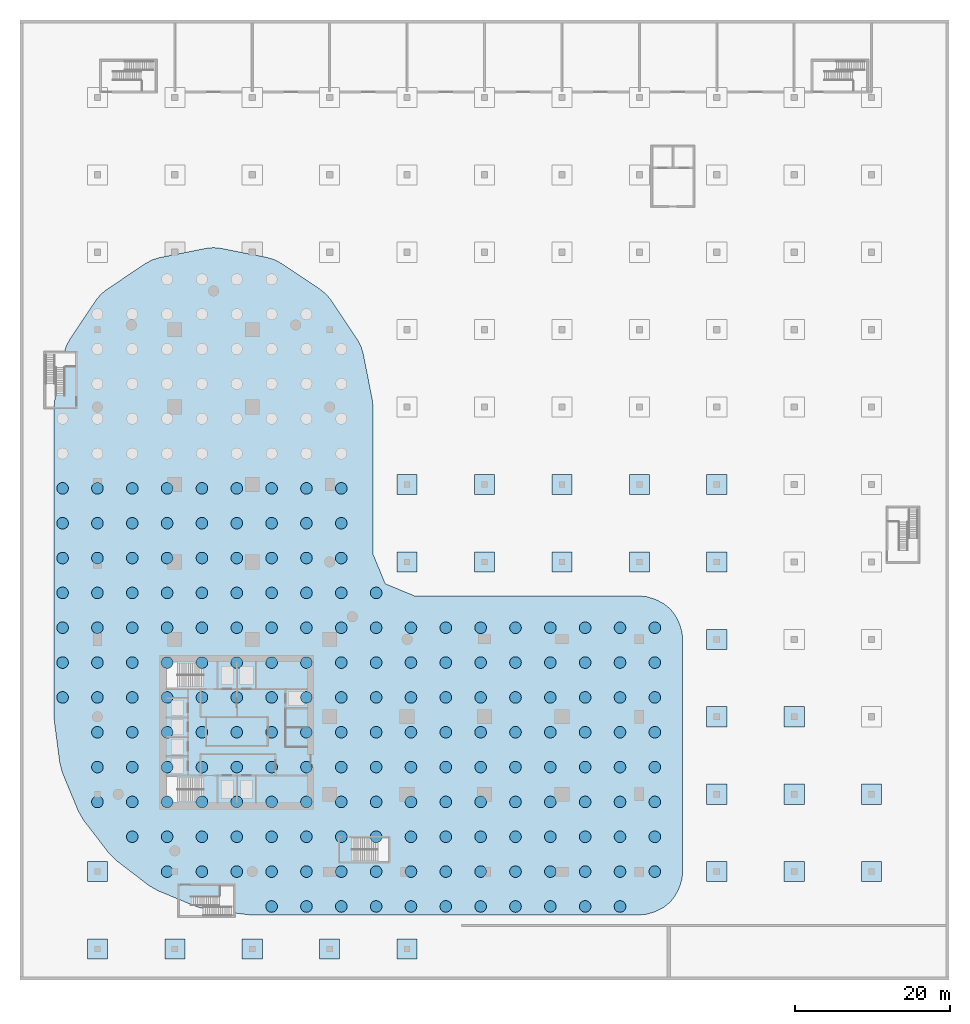
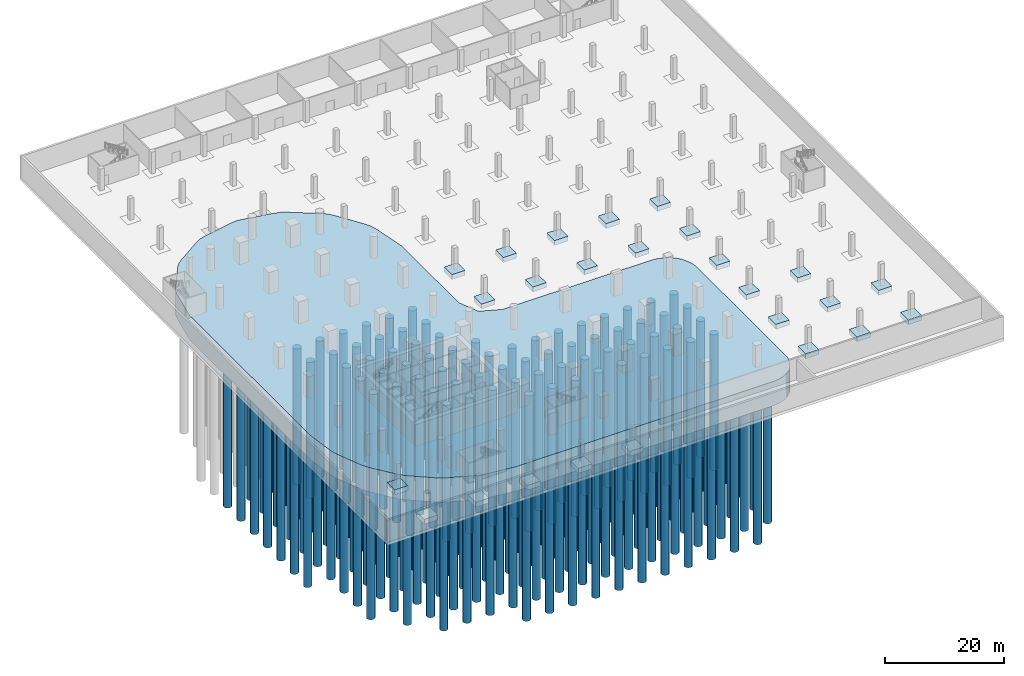
# One storey, part 1 of 19: 184 piles, 26 footings.
"""IFC4 building model written with IfcOpenShell, lengths in metres."""

from ifc_helpers import new_model, si_unit, direction, frame, origin, origin_2d, place, context, subcontext, project, spatial, polyline, circle, outline, extrude, material, layer, layer_set, material_profile, profile_set, type_object, element, save


model = new_model("IFC4")

# Units and contexts
model_context = context("Model", 3, precision=1e-05, world=origin(), true_north=direction((0.0, 1.0)))
body_context = subcontext(model_context, "Body", "Model", "MODEL_VIEW")
ifc_project = project(units=[si_unit("LENGTHUNIT", "METRE"), si_unit("AREAUNIT", "SQUARE_METRE"), si_unit("VOLUMEUNIT", "CUBIC_METRE"), si_unit("PLANEANGLEUNIT", "RADIAN"), si_unit("MASSUNIT", "GRAM", prefix="KILO")], contexts=[model_context])

# Site, building, storey
site_placement = place(None, origin())
site = spatial("IfcSite", under=ifc_project, at=site_placement, CompositionType="ELEMENT")
building_placement = place(site_placement, origin())
building = spatial("IfcBuilding", under=site, at=building_placement, Name="Qaws Garden Tower", CompositionType="ELEMENT")
storey_placement = place(building_placement, frame((0.0, 0.0, -9.0)))
storey = spatial("IfcBuildingStorey", under=building, at=storey_placement, Name="B2", CompositionType="ELEMENT", Elevation=-9.0)

# Piles
ifc_material_1 = material(Name="Concrete C40", Category="concrete")
ifc_material_profile = material_profile(ifc_material_1, circle(Radius=0.75, at=origin_2d()), Name="Bored pile D1500")
ifc_profile_set = profile_set([ifc_material_profile], Name="Concrete C40")
pile_type = type_object("IfcPileType", Name="Bored pile D1500", PredefinedType="BORED", material=ifc_profile_set)
for number, where, z_axis, x_axis, name in (
    (1, (22.5, -4.5, -4.89990234375), (0.0, 0.0, -1.0), (1.0, 0.0, 0.0), "Pile 1"),
    (2, (27.0, -4.5, -4.89990234375), (0.0, 0.0, -1.0), (1.0, 0.0, 0.0), "Pile 2"),
    (3, (31.5, -4.5, -4.89990234375), (0.0, 0.0, -1.0), (1.0, 0.0, 0.0), "Pile 3"),
    (4, (36.0, -4.5, -4.89990234375), (0.0, 0.0, -1.0), (1.0, 0.0, 0.0), "Pile 4"),
    (5, (40.5, -4.5, -4.89990234375), (0.0, 0.0, -1.0), (1.0, 0.0, 0.0), "Pile 5"),
    (6, (45.0, -4.5, -4.89990234375), (0.0, 0.0, -1.0), (1.0, 0.0, 0.0), "Pile 6"),
    (7, (49.5, -4.5, -4.89990234375), (0.0, 0.0, -1.0), (1.0, 0.0, 0.0), "Pile 7"),
    (8, (54.0, -4.5, -4.89990234375), (0.0, 0.0, -1.0), (1.0, 0.0, 0.0), "Pile 8"),
    (9, (58.5, -4.5, -4.89990234375), (0.0, 0.0, -1.0), (1.0, 0.0, 0.0), "Pile 9"),
    (10, (63.0, -4.5, -4.89990234375), (0.0, 0.0, -1.0), (1.0, 0.0, 0.0), "Pile 10"),
    (11, (67.5, -4.5, -4.89990234375), (0.0, 0.0, -1.0), (1.0, 0.0, 0.0), "Pile 11"),
    (12, (9.0, 0.0, -4.89990234375), (0.0, 0.0, -1.0), (1.0, 0.0, 0.0), "Pile 12"),
    (13, (13.5, 0.0, -4.89990234375), (0.0, 0.0, -1.0), (1.0, 0.0, 0.0), "Pile 13"),
    (14, (18.0, 0.0, -4.89990234375), (0.0, 0.0, -1.0), (1.0, 0.0, 0.0), "Pile 14"),
    (15, (22.5, 0.0, -4.89990234375), (0.0, 0.0, -1.0), (1.0, 0.0, 0.0), "Pile 15"),
    (16, (27.0, 0.0, -4.89990234375), (0.0, 0.0, -1.0), (1.0, 0.0, 0.0), "Pile 16"),
    (17, (31.5, 0.0, -4.89990234375), (0.0, 0.0, -1.0), (1.0, 0.0, 0.0), "Pile 17"),
    (18, (36.0, 0.0, -4.89990234375), (0.0, 0.0, -1.0), (1.0, 0.0, 0.0), "Pile 18"),
    (19, (40.5, 0.0, -4.89990234375), (0.0, 0.0, -1.0), (1.0, 0.0, 0.0), "Pile 19"),
    (20, (45.0, 0.0, -4.89990234375), (0.0, 0.0, -1.0), (1.0, 0.0, 0.0), "Pile 20"),
    (21, (49.5, 0.0, -4.89990234375), (0.0, 0.0, -1.0), (1.0, 0.0, 0.0), "Pile 21"),
    (22, (54.0, 0.0, -4.89990234375), (0.0, 0.0, -1.0), (1.0, 0.0, 0.0), "Pile 22"),
    (23, (58.5, 0.0, -4.89990234375), (0.0, 0.0, -1.0), (1.0, 0.0, 0.0), "Pile 23"),
    (24, (63.0, 0.0, -4.89990234375), (0.0, 0.0, -1.0), (1.0, 0.0, 0.0), "Pile 24"),
    (25, (67.5, 0.0, -4.89990234375), (0.0, 0.0, -1.0), (1.0, 0.0, 0.0), "Pile 25"),
    (26, (72.0, 0.0, -4.89990234375), (0.0, 0.0, -1.0), (1.0, 0.0, 0.0), "Pile 26"),
    (27, (4.5, 4.5, -4.89990234375), (0.0, 0.0, -1.0), (1.0, 0.0, 0.0), "Pile 27"),
    (28, (9.0, 4.5, -4.89990234375), (0.0, 0.0, -1.0), (1.0, 0.0, 0.0), "Pile 28"),
    (29, (13.5, 4.5, -4.89990234375), (0.0, 0.0, -1.0), (1.0, 0.0, 0.0), "Pile 29"),
    (30, (18.0, 4.5, -4.89990234375), (0.0, 0.0, -1.0), (1.0, 0.0, 0.0), "Pile 30"),
    (31, (22.5, 4.5, -4.89990234375), (0.0, 0.0, -1.0), (1.0, 0.0, 0.0), "Pile 31"),
    (32, (27.0, 4.5, -4.89990234375), (0.0, 0.0, -1.0), (1.0, 0.0, 0.0), "Pile 32"),
    (33, (31.5, 4.5, -4.89990234375), (0.0, 0.0, -1.0), (1.0, 0.0, 0.0), "Pile 33"),
    (34, (36.0, 4.5, -4.89990234375), (0.0, 0.0, -1.0), (1.0, 0.0, 0.0), "Pile 34"),
    (35, (40.5, 4.5, -4.89990234375), (0.0, 0.0, -1.0), (1.0, 0.0, 0.0), "Pile 35"),
    (36, (45.0, 4.5, -4.89990234375), (0.0, 0.0, -1.0), (1.0, 0.0, 0.0), "Pile 36"),
    (37, (49.5, 4.5, -4.89990234375), (0.0, 0.0, -1.0), (1.0, 0.0, 0.0), "Pile 37"),
    (38, (54.0, 4.5, -4.89990234375), (0.0, 0.0, -1.0), (1.0, 0.0, 0.0), "Pile 38"),
    (39, (58.5, 4.5, -4.89990234375), (0.0, 0.0, -1.0), (1.0, 0.0, 0.0), "Pile 39"),
    (40, (63.0, 4.5, -4.89990234375), (0.0, 0.0, -1.0), (1.0, 0.0, 0.0), "Pile 40"),
    (41, (67.5, 4.5, -4.89990234375), (0.0, 0.0, -1.0), (1.0, 0.0, 0.0), "Pile 41"),
    (42, (72.0, 4.5, -4.89990234375), (0.0, 0.0, -1.0), (1.0, 0.0, 0.0), "Pile 42"),
    (43, (0.0, 9.0, -4.89990234375), (0.0, 0.0, -1.0), (1.0, 0.0, 0.0), "Pile 43"),
    (44, (4.5, 9.0, -4.89990234375), (0.0, 0.0, -1.0), (1.0, 0.0, 0.0), "Pile 44"),
    (45, (9.0, 9.0, -4.89990234375), (0.0, 0.0, -1.0), (1.0, 0.0, 0.0), "Pile 45"),
    (46, (13.5, 9.0, -4.89990234375), (0.0, 0.0, -1.0), (1.0, 0.0, 0.0), "Pile 46"),
    (47, (18.0, 9.0, -4.89990234375), (0.0, 0.0, -1.0), (1.0, 0.0, 0.0), "Pile 47"),
    (48, (22.5, 9.0, -4.89990234375), (0.0, 0.0, -1.0), (1.0, 0.0, 0.0), "Pile 48"),
    (49, (27.0, 9.0, -4.89990234375), (0.0, 0.0, -1.0), (1.0, 0.0, 0.0), "Pile 49"),
    (50, (31.5, 9.0, -4.89990234375), (0.0, 0.0, -1.0), (1.0, 0.0, 0.0), "Pile 50"),
    (51, (36.0, 9.0, -4.89990234375), (0.0, 0.0, -1.0), (1.0, 0.0, 0.0), "Pile 51"),
    (52, (40.5, 9.0, -4.89990234375), (0.0, 0.0, -1.0), (1.0, 0.0, 0.0), "Pile 52"),
    (53, (45.0, 9.0, -4.89990234375), (0.0, 0.0, -1.0), (1.0, 0.0, 0.0), "Pile 53"),
    (54, (49.5, 9.0, -4.89990234375), (0.0, 0.0, -1.0), (1.0, 0.0, 0.0), "Pile 54"),
    (55, (54.0, 9.0, -4.89990234375), (0.0, 0.0, -1.0), (1.0, 0.0, 0.0), "Pile 55"),
    (56, (58.5, 9.0, -4.89990234375), (0.0, 0.0, -1.0), (1.0, 0.0, 0.0), "Pile 56"),
    (57, (63.0, 9.0, -4.89990234375), (0.0, 0.0, -1.0), (1.0, 0.0, 0.0), "Pile 57"),
    (58, (67.5, 9.0, -4.89990234375), (0.0, 0.0, -1.0), (1.0, 0.0, 0.0), "Pile 58"),
    (59, (72.0, 9.0, -4.89990234375), (0.0, 0.0, -1.0), (1.0, 0.0, 0.0), "Pile 59"),
    (60, (0.0, 13.5, -4.89990234375), (0.0, 0.0, -1.0), (1.0, 0.0, 0.0), "Pile 60"),
    (61, (4.5, 13.5, -4.89990234375), (0.0, 0.0, -1.0), (1.0, 0.0, 0.0), "Pile 61"),
    (62, (9.0, 13.5, -4.89990234375), (0.0, 0.0, -1.0), (1.0, 0.0, 0.0), "Pile 62"),
    (63, (13.5, 13.5, -4.89990234375), (0.0, 0.0, -1.0), (1.0, 0.0, 0.0), "Pile 63"),
    (64, (18.0, 13.5, -4.89990234375), (0.0, 0.0, -1.0), (1.0, 0.0, 0.0), "Pile 64"),
    (65, (22.5, 13.5, -4.89990234375), (0.0, 0.0, -1.0), (1.0, 0.0, 0.0), "Pile 65"),
    (66, (27.0, 13.5, -4.89990234375), (0.0, 0.0, -1.0), (1.0, 0.0, 0.0), "Pile 66"),
    (67, (31.5, 13.5, -4.89990234375), (0.0, 0.0, -1.0), (1.0, 0.0, 0.0), "Pile 67"),
    (68, (36.0, 13.5, -4.89990234375), (0.0, 0.0, -1.0), (1.0, 0.0, 0.0), "Pile 68"),
    (69, (40.5, 13.5, -4.89990234375), (0.0, 0.0, -1.0), (1.0, 0.0, 0.0), "Pile 69"),
    (70, (45.0, 13.5, -4.89990234375), (0.0, 0.0, -1.0), (1.0, 0.0, 0.0), "Pile 70"),
    (71, (49.5, 13.5, -4.89990234375), (0.0, 0.0, -1.0), (1.0, 0.0, 0.0), "Pile 71"),
    (72, (54.0, 13.5, -4.89990234375), (0.0, 0.0, -1.0), (1.0, 0.0, 0.0), "Pile 72"),
    (73, (58.5, 13.5, -4.89990234375), (0.0, 0.0, -1.0), (1.0, 0.0, 0.0), "Pile 73"),
    (74, (63.0, 13.5, -4.89990234375), (0.0, 0.0, -1.0), (1.0, 0.0, 0.0), "Pile 74"),
    (75, (67.5, 13.5, -4.89990234375), (0.0, 0.0, -1.0), (1.0, 0.0, 0.0), "Pile 75"),
    (76, (72.0, 13.5, -4.89990234375), (0.0, 0.0, -1.0), (1.0, 0.0, 0.0), "Pile 76"),
    (77, (0.0, 18.0, -4.89990234375), (0.0, 0.0, -1.0), (1.0, 0.0, 0.0), "Pile 77"),
    (78, (4.5, 18.0, -4.89990234375), (0.0, 0.0, -1.0), (1.0, 0.0, 0.0), "Pile 78"),
    (79, (9.0, 18.0, -4.89990234375), (0.0, 0.0, -1.0), (1.0, 0.0, 0.0), "Pile 79"),
    (80, (13.5, 18.0, -4.89990234375), (0.0, 0.0, -1.0), (1.0, 0.0, 0.0), "Pile 80"),
    (81, (18.0, 18.0, -4.89990234375), (0.0, 0.0, -1.0), (1.0, 0.0, 0.0), "Pile 81"),
    (82, (22.5, 18.0, -4.89990234375), (0.0, 0.0, -1.0), (1.0, 0.0, 0.0), "Pile 82"),
    (83, (27.0, 18.0, -4.89990234375), (0.0, 0.0, -1.0), (1.0, 0.0, 0.0), "Pile 83"),
    (84, (31.5, 18.0, -4.89990234375), (0.0, 0.0, -1.0), (1.0, 0.0, 0.0), "Pile 84"),
    (85, (36.0, 18.0, -4.89990234375), (0.0, 0.0, -1.0), (1.0, 0.0, 0.0), "Pile 85"),
    (86, (40.5, 18.0, -4.89990234375), (0.0, 0.0, -1.0), (1.0, 0.0, 0.0), "Pile 86"),
    (87, (45.0, 18.0, -4.89990234375), (0.0, 0.0, -1.0), (1.0, 0.0, 0.0), "Pile 87"),
    (88, (49.5, 18.0, -4.89990234375), (0.0, 0.0, -1.0), (1.0, 0.0, 0.0), "Pile 88"),
    (89, (54.0, 18.0, -4.89990234375), (0.0, 0.0, -1.0), (1.0, 0.0, 0.0), "Pile 89"),
    (90, (58.5, 18.0, -4.89990234375), (0.0, 0.0, -1.0), (1.0, 0.0, 0.0), "Pile 90"),
    (91, (63.0, 18.0, -4.89990234375), (0.0, 0.0, -1.0), (1.0, 0.0, 0.0), "Pile 91"),
    (92, (67.5, 18.0, -4.89990234375), (0.0, 0.0, -1.0), (1.0, 0.0, 0.0), "Pile 92"),
    (93, (72.0, 18.0, -4.89990234375), (0.0, 0.0, -1.0), (1.0, 0.0, 0.0), "Pile 93"),
    (94, (-4.5, 22.5, -4.89990234375), (0.0, 0.0, -1.0), (1.0, 0.0, 0.0), "Pile 94"),
    (95, (0.0, 22.5, -4.89990234375), (0.0, 0.0, -1.0), (1.0, 0.0, 0.0), "Pile 95"),
    (96, (4.5, 22.5, -4.89990234375), (0.0, 0.0, -1.0), (1.0, 0.0, 0.0), "Pile 96"),
    (97, (9.0, 22.5, -4.89990234375), (0.0, 0.0, -1.0), (1.0, 0.0, 0.0), "Pile 97"),
    (98, (13.5, 22.5, -4.89990234375), (0.0, 0.0, -1.0), (1.0, 0.0, 0.0), "Pile 98"),
    (99, (18.0, 22.5, -4.89990234375), (0.0, 0.0, -1.0), (1.0, 0.0, 0.0), "Pile 99"),
    (100, (22.5, 22.5, -4.89990234375), (0.0, 0.0, -1.0), (1.0, 0.0, 0.0), "Pile 100"),
    (101, (27.0, 22.5, -4.89990234375), (0.0, 0.0, -1.0), (1.0, 0.0, 0.0), "Pile 101"),
    (102, (31.5, 22.5, -4.89990234375), (0.0, 0.0, -1.0), (1.0, 0.0, 0.0), "Pile 102"),
    (103, (36.0, 22.5, -4.89990234375), (0.0, 0.0, -1.0), (1.0, 0.0, 0.0), "Pile 103"),
    (104, (40.5, 22.5, -4.89990234375), (0.0, 0.0, -1.0), (1.0, 0.0, 0.0), "Pile 104"),
    (105, (45.0, 22.5, -4.89990234375), (0.0, 0.0, -1.0), (1.0, 0.0, 0.0), "Pile 105"),
    (106, (49.5, 22.5, -4.89990234375), (0.0, 0.0, -1.0), (1.0, 0.0, 0.0), "Pile 106"),
    (107, (54.0, 22.5, -4.89990234375), (0.0, 0.0, -1.0), (1.0, 0.0, 0.0), "Pile 107"),
    (108, (58.5, 22.5, -4.89990234375), (0.0, 0.0, -1.0), (1.0, 0.0, 0.0), "Pile 108"),
    (109, (63.0, 22.5, -4.89990234375), (0.0, 0.0, -1.0), (1.0, 0.0, 0.0), "Pile 109"),
    (110, (67.5, 22.5, -4.89990234375), (0.0, 0.0, -1.0), (1.0, 0.0, 0.0), "Pile 110"),
    (111, (72.0, 22.5, -4.89990234375), (0.0, 0.0, -1.0), (1.0, 0.0, 0.0), "Pile 111"),
    (112, (-4.5, 27.0, -4.89990234375), (0.0, 0.0, -1.0), (1.0, 0.0, 0.0), "Pile 112"),
    (113, (0.0, 27.0, -4.89990234375), (0.0, 0.0, -1.0), (1.0, 0.0, 0.0), "Pile 113"),
    (114, (4.5, 27.0, -4.89990234375), (0.0, 0.0, -1.0), (1.0, 0.0, 0.0), "Pile 114"),
    (115, (9.0, 27.0, -4.89990234375), (0.0, 0.0, -1.0), (1.0, 0.0, 0.0), "Pile 115"),
    (116, (13.5, 27.0, -4.89990234375), (0.0, 0.0, -1.0), (1.0, 0.0, 0.0), "Pile 116"),
    (117, (18.0, 27.0, -4.89990234375), (0.0, 0.0, -1.0), (1.0, 0.0, 0.0), "Pile 117"),
    (118, (22.5, 27.0, -4.89990234375), (0.0, 0.0, -1.0), (1.0, 0.0, 0.0), "Pile 118"),
    (119, (27.0, 27.0, -4.89990234375), (0.0, 0.0, -1.0), (1.0, 0.0, 0.0), "Pile 119"),
    (120, (31.5, 27.0, -4.89990234375), (0.0, 0.0, -1.0), (1.0, 0.0, 0.0), "Pile 120"),
    (121, (36.0, 27.0, -4.89990234375), (0.0, 0.0, -1.0), (1.0, 0.0, 0.0), "Pile 121"),
    (122, (40.5, 27.0, -4.89990234375), (0.0, 0.0, -1.0), (1.0, 0.0, 0.0), "Pile 122"),
    (123, (45.0, 27.0, -4.89990234375), (0.0, 0.0, -1.0), (1.0, 0.0, 0.0), "Pile 123"),
    (124, (49.5, 27.0, -4.89990234375), (0.0, 0.0, -1.0), (1.0, 0.0, 0.0), "Pile 124"),
    (125, (54.0, 27.0, -4.89990234375), (0.0, 0.0, -1.0), (1.0, 0.0, 0.0), "Pile 125"),
    (126, (58.5, 27.0, -4.89990234375), (0.0, 0.0, -1.0), (1.0, 0.0, 0.0), "Pile 126"),
    (127, (63.0, 27.0, -4.89990234375), (0.0, 0.0, -1.0), (1.0, 0.0, 0.0), "Pile 127"),
    (128, (67.5, 27.0, -4.89990234375), (0.0, 0.0, -1.0), (1.0, 0.0, 0.0), "Pile 128"),
    (129, (72.0, 27.0, -4.89990234375), (0.0, 0.0, -1.0), (1.0, 0.0, 0.0), "Pile 129"),
    (130, (-4.5, 31.5, -4.89990234375), (0.0, 0.0, -1.0), (1.0, 0.0, 0.0), "Pile 130"),
    (131, (0.0, 31.5, -4.89990234375), (0.0, 0.0, -1.0), (1.0, 0.0, 0.0), "Pile 131"),
    (132, (4.5, 31.5, -4.89990234375), (0.0, 0.0, -1.0), (1.0, 0.0, 0.0), "Pile 132"),
    (133, (9.0, 31.5, -4.89990234375), (0.0, 0.0, -1.0), (1.0, 0.0, 0.0), "Pile 133"),
    (134, (13.5, 31.5, -4.89990234375), (0.0, 0.0, -1.0), (1.0, 0.0, 0.0), "Pile 134"),
    (135, (18.0, 31.5, -4.89990234375), (0.0, 0.0, -1.0), (1.0, 0.0, 0.0), "Pile 135"),
    (136, (22.5, 31.5, -4.89990234375), (0.0, 0.0, -1.0), (1.0, 0.0, 0.0), "Pile 136"),
    (137, (27.0, 31.5, -4.89990234375), (0.0, 0.0, -1.0), (1.0, 0.0, 0.0), "Pile 137"),
    (138, (31.5, 31.5, -4.89990234375), (0.0, 0.0, -1.0), (1.0, 0.0, 0.0), "Pile 138"),
    (139, (36.0, 31.5, -4.89990234375), (0.0, 0.0, -1.0), (1.0, 0.0, 0.0), "Pile 139"),
    (140, (40.5, 31.5, -4.89990234375), (0.0, 0.0, -1.0), (1.0, 0.0, 0.0), "Pile 140"),
    (141, (45.0, 31.5, -4.89990234375), (0.0, 0.0, -1.0), (1.0, 0.0, 0.0), "Pile 141"),
    (142, (49.5, 31.5, -4.89990234375), (0.0, 0.0, -1.0), (1.0, 0.0, 0.0), "Pile 142"),
    (143, (54.0, 31.5, -4.89990234375), (0.0, 0.0, -1.0), (1.0, 0.0, 0.0), "Pile 143"),
    (144, (58.5, 31.5, -4.89990234375), (0.0, 0.0, -1.0), (1.0, 0.0, 0.0), "Pile 144"),
    (145, (63.0, 31.5, -4.89990234375), (0.0, 0.0, -1.0), (1.0, 0.0, 0.0), "Pile 145"),
    (146, (67.5, 31.5, -4.89990234375), (0.0, 0.0, -1.0), (1.0, 0.0, 0.0), "Pile 146"),
    (147, (72.0, 31.5, -4.89990234375), (0.0, 0.0, -1.0), (1.0, 0.0, 0.0), "Pile 147"),
    (148, (-4.5, 36.0, -4.89990234375), (0.0, 0.0, -1.0), (1.0, 0.0, 0.0), "Pile 148"),
    (149, (0.0, 36.0, -4.89990234375), (0.0, 0.0, -1.0), (1.0, 0.0, 0.0), "Pile 149"),
    (150, (4.5, 36.0, -4.89990234375), (0.0, 0.0, -1.0), (1.0, 0.0, 0.0), "Pile 150"),
    (151, (9.0, 36.0, -4.89990234375), (0.0, 0.0, -1.0), (1.0, 0.0, 0.0), "Pile 151"),
    (152, (13.5, 36.0, -4.89990234375), (0.0, 0.0, -1.0), (1.0, 0.0, 0.0), "Pile 152"),
    (153, (18.0, 36.0, -4.89990234375), (0.0, 0.0, -1.0), (1.0, 0.0, 0.0), "Pile 153"),
    (154, (22.5, 36.0, -4.89990234375), (0.0, 0.0, -1.0), (1.0, 0.0, 0.0), "Pile 154"),
    (155, (27.0, 36.0, -4.89990234375), (0.0, 0.0, -1.0), (1.0, 0.0, 0.0), "Pile 155"),
    (156, (31.5, 36.0, -4.89990234375), (0.0, 0.0, -1.0), (1.0, 0.0, 0.0), "Pile 156"),
    (157, (36.0, 36.0, -4.89990234375), (0.0, 0.0, -1.0), (1.0, 0.0, 0.0), "Pile 157"),
    (158, (-4.5, 40.5, -4.89990234375), (0.0, 0.0, -1.0), (1.0, 0.0, 0.0), "Pile 158"),
    (159, (0.0, 40.5, -4.89990234375), (0.0, 0.0, -1.0), (1.0, 0.0, 0.0), "Pile 159"),
    (160, (4.5, 40.5, -4.89990234375), (0.0, 0.0, -1.0), (1.0, 0.0, 0.0), "Pile 160"),
    (161, (9.0, 40.5, -4.89990234375), (0.0, 0.0, -1.0), (1.0, 0.0, 0.0), "Pile 161"),
    (162, (13.5, 40.5, -4.89990234375), (0.0, 0.0, -1.0), (1.0, 0.0, 0.0), "Pile 162"),
    (163, (18.0, 40.5, -4.89990234375), (0.0, 0.0, -1.0), (1.0, 0.0, 0.0), "Pile 163"),
    (164, (22.5, 40.5, -4.89990234375), (0.0, 0.0, -1.0), (1.0, 0.0, 0.0), "Pile 164"),
    (165, (27.0, 40.5, -4.89990234375), (0.0, 0.0, -1.0), (1.0, 0.0, 0.0), "Pile 165"),
    (166, (31.5, 40.5, -4.89990234375), (0.0, 0.0, -1.0), (1.0, 0.0, 0.0), "Pile 166"),
    (167, (-4.5, 45.0, -4.89990234375), (0.0, 0.0, -1.0), (1.0, 0.0, 0.0), "Pile 167"),
    (168, (0.0, 45.0, -4.89990234375), (0.0, 0.0, -1.0), (1.0, 0.0, 0.0), "Pile 168"),
    (169, (4.5, 45.0, -4.89990234375), (0.0, 0.0, -1.0), (1.0, 0.0, 0.0), "Pile 169"),
    (170, (9.0, 45.0, -4.89990234375), (0.0, 0.0, -1.0), (1.0, 0.0, 0.0), "Pile 170"),
    (171, (13.5, 45.0, -4.89990234375), (0.0, 0.0, -1.0), (1.0, 0.0, 0.0), "Pile 171"),
    (172, (18.0, 45.0, -4.89990234375), (0.0, 0.0, -1.0), (1.0, 0.0, 0.0), "Pile 172"),
    (173, (22.5, 45.0, -4.89990234375), (0.0, 0.0, -1.0), (1.0, 0.0, 0.0), "Pile 173"),
    (174, (27.0, 45.0, -4.89990234375), (0.0, 0.0, -1.0), (1.0, 0.0, 0.0), "Pile 174"),
    (175, (31.5, 45.0, -4.89990234375), (0.0, 0.0, -1.0), (1.0, 0.0, 0.0), "Pile 175"),
    (176, (-4.5, 49.5, -4.89990234375), (0.0, 0.0, -1.0), (1.0, 0.0, 0.0), "Pile 176"),
    (177, (0.0, 49.5, -4.89990234375), (0.0, 0.0, -1.0), (1.0, 0.0, 0.0), "Pile 177"),
    (178, (4.5, 49.5, -4.89990234375), (0.0, 0.0, -1.0), (1.0, 0.0, 0.0), "Pile 178"),
    (179, (9.0, 49.5, -4.89990234375), (0.0, 0.0, -1.0), (1.0, 0.0, 0.0), "Pile 179"),
    (180, (13.5, 49.5, -4.89990234375), (0.0, 0.0, -1.0), (1.0, 0.0, 0.0), "Pile 180"),
    (181, (18.0, 49.5, -4.89990234375), (0.0, 0.0, -1.0), (1.0, 0.0, 0.0), "Pile 181"),
    (182, (22.5, 49.5, -4.89990234375), (0.0, 0.0, -1.0), (1.0, 0.0, 0.0), "Pile 182"),
    (183, (27.0, 49.5, -4.89990234375), (0.0, 0.0, -1.0), (1.0, 0.0, 0.0), "Pile 183"),
    (184, (31.5, 49.5, -4.89990234375), (0.0, 0.0, -1.0), (1.0, 0.0, 0.0), "Pile 184"),
):
    element("IfcPile", number, at=place(storey_placement, frame(where, z_axis=z_axis, x_axis=x_axis)), inside=storey, type_object=pile_type, Name=name, PredefinedType="BORED", context=body_context, shape_type="SweptSolid", body=[
        extrude(circle(Radius=0.75, at=origin_2d()), origin(), (0.0, 0.0, 1.0), 28.0),
    ])

# Footings
ifc_material_2 = material(Name="Concrete C45", Category="concrete")
ifc_layer_1 = layer(ifc_material_2, 1.0)
ifc_layer_set_1 = layer_set([ifc_layer_1], Name="Concrete C45")
footing_type_1 = type_object("IfcFootingType", Name="Pad footing 2600", PredefinedType="PAD_FOOTING", material=ifc_layer_set_1)
placement = place(storey_placement, frame((0.0, 0.0, -1.0)))
element("IfcFooting", 185, at=placement, inside=storey, type_object=footing_type_1, Name="Pad footing 1", PredefinedType="PAD_FOOTING", context=body_context, shape_type="SweptSolid", body=[
    extrude(outline(polyline([(-1.300048828125, -11.300048828125), (1.300048828125, -11.300048828125), (1.300048828125, -8.699951171875), (-1.300048828125, -8.699951171875), (-1.300048828125, -11.300048828125)])), origin(), (0.0, 0.0, 1.0), 1.0),
])
element("IfcFooting", 186, at=placement, inside=storey, type_object=footing_type_1, Name="Pad footing 2", PredefinedType="PAD_FOOTING", context=body_context, shape_type="SweptSolid", body=[
    extrude(outline(polyline([(-1.300048828125, -1.300048828125), (1.300048828125, -1.300048828125), (1.300048828125, 1.300048828125), (-1.300048828125, 1.300048828125), (-1.300048828125, -1.300048828125)])), origin(), (0.0, 0.0, 1.0), 1.0),
])
element("IfcFooting", 187, at=placement, inside=storey, type_object=footing_type_1, Name="Pad footing 8", PredefinedType="PAD_FOOTING", context=body_context, shape_type="SweptSolid", body=[
    extrude(outline(polyline([(8.699951171875, -11.300048828125), (11.300048828125, -11.300048828125), (11.300048828125, -8.699951171875), (8.699951171875, -8.699951171875), (8.699951171875, -11.300048828125)])), origin(), (0.0, 0.0, 1.0), 1.0),
])
element("IfcFooting", 188, at=placement, inside=storey, type_object=footing_type_1, Name="Pad footing 13", PredefinedType="PAD_FOOTING", context=body_context, shape_type="SweptSolid", body=[
    extrude(outline(polyline([(18.699951171875, -11.300048828125), (21.300048828125, -11.300048828125), (21.300048828125, -8.699951171875), (18.699951171875, -8.699951171875), (18.699951171875, -11.300048828125)])), origin(), (0.0, 0.0, 1.0), 1.0),
])
element("IfcFooting", 189, at=placement, inside=storey, type_object=footing_type_1, Name="Pad footing 17", PredefinedType="PAD_FOOTING", context=body_context, shape_type="SweptSolid", body=[
    extrude(outline(polyline([(28.699951171875, -11.300048828125), (31.300048828125, -11.300048828125), (31.300048828125, -8.699951171875), (28.699951171875, -8.699951171875), (28.699951171875, -11.300048828125)])), origin(), (0.0, 0.0, 1.0), 1.0),
])
element("IfcFooting", 190, at=placement, inside=storey, type_object=footing_type_1, Name="Pad footing 22", PredefinedType="PAD_FOOTING", context=body_context, shape_type="SweptSolid", body=[
    extrude(outline(polyline([(38.699951171875, -11.300048828125), (41.300048828125, -11.300048828125), (41.300048828125, -8.699951171875), (38.699951171875, -8.699951171875), (38.699951171875, -11.300048828125)])), origin(), (0.0, 0.0, 1.0), 1.0),
])
element("IfcFooting", 191, at=placement, inside=storey, type_object=footing_type_1, Name="Pad footing 23", PredefinedType="PAD_FOOTING", context=body_context, shape_type="SweptSolid", body=[
    extrude(outline(polyline([(38.699951171875, 38.699951171875), (41.300048828125, 38.699951171875), (41.300048828125, 41.300048828125), (38.699951171875, 41.300048828125), (38.699951171875, 38.699951171875)])), origin(), (0.0, 0.0, 1.0), 1.0),
])
element("IfcFooting", 192, at=placement, inside=storey, type_object=footing_type_1, Name="Pad footing 24", PredefinedType="PAD_FOOTING", context=body_context, shape_type="SweptSolid", body=[
    extrude(outline(polyline([(38.699951171875, 48.699951171875), (41.300048828125, 48.699951171875), (41.300048828125, 51.300048828125), (38.699951171875, 51.300048828125), (38.699951171875, 48.699951171875)])), origin(), (0.0, 0.0, 1.0), 1.0),
])
element("IfcFooting", 193, at=placement, inside=storey, type_object=footing_type_1, Name="Pad footing 30", PredefinedType="PAD_FOOTING", context=body_context, shape_type="SweptSolid", body=[
    extrude(outline(polyline([(48.699951171875, 38.699951171875), (51.300048828125, 38.699951171875), (51.300048828125, 41.300048828125), (48.699951171875, 41.300048828125), (48.699951171875, 38.699951171875)])), origin(), (0.0, 0.0, 1.0), 1.0),
])
element("IfcFooting", 194, at=placement, inside=storey, type_object=footing_type_1, Name="Pad footing 31", PredefinedType="PAD_FOOTING", context=body_context, shape_type="SweptSolid", body=[
    extrude(outline(polyline([(48.699951171875, 48.699951171875), (51.300048828125, 48.699951171875), (51.300048828125, 51.300048828125), (48.699951171875, 51.300048828125), (48.699951171875, 48.699951171875)])), origin(), (0.0, 0.0, 1.0), 1.0),
])
element("IfcFooting", 195, at=placement, inside=storey, type_object=footing_type_1, Name="Pad footing 37", PredefinedType="PAD_FOOTING", context=body_context, shape_type="SweptSolid", body=[
    extrude(outline(polyline([(58.699951171875, 38.699951171875), (61.300048828125, 38.699951171875), (61.300048828125, 41.300048828125), (58.699951171875, 41.300048828125), (58.699951171875, 38.699951171875)])), origin(), (0.0, 0.0, 1.0), 1.0),
])
element("IfcFooting", 196, at=placement, inside=storey, type_object=footing_type_1, Name="Pad footing 38", PredefinedType="PAD_FOOTING", context=body_context, shape_type="SweptSolid", body=[
    extrude(outline(polyline([(58.699951171875, 48.699951171875), (61.300048828125, 48.699951171875), (61.300048828125, 51.300048828125), (58.699951171875, 51.300048828125), (58.699951171875, 48.699951171875)])), origin(), (0.0, 0.0, 1.0), 1.0),
])
element("IfcFooting", 197, at=placement, inside=storey, type_object=footing_type_1, Name="Pad footing 44", PredefinedType="PAD_FOOTING", context=body_context, shape_type="SweptSolid", body=[
    extrude(outline(polyline([(68.699951171875, 38.699951171875), (71.300048828125, 38.699951171875), (71.300048828125, 41.300048828125), (68.699951171875, 41.300048828125), (68.699951171875, 38.699951171875)])), origin(), (0.0, 0.0, 1.0), 1.0),
])
element("IfcFooting", 198, at=placement, inside=storey, type_object=footing_type_1, Name="Pad footing 45", PredefinedType="PAD_FOOTING", context=body_context, shape_type="SweptSolid", body=[
    extrude(outline(polyline([(68.699951171875, 48.699951171875), (71.300048828125, 48.699951171875), (71.300048828125, 51.300048828125), (68.699951171875, 51.300048828125), (68.699951171875, 48.699951171875)])), origin(), (0.0, 0.0, 1.0), 1.0),
])
element("IfcFooting", 199, at=placement, inside=storey, type_object=footing_type_1, Name="Pad footing 51", PredefinedType="PAD_FOOTING", context=body_context, shape_type="SweptSolid", body=[
    extrude(outline(polyline([(78.699951171875, -1.300048828125), (81.300048828125, -1.300048828125), (81.300048828125, 1.300048828125), (78.699951171875, 1.300048828125), (78.699951171875, -1.300048828125)])), origin(), (0.0, 0.0, 1.0), 1.0),
])
element("IfcFooting", 200, at=placement, inside=storey, type_object=footing_type_1, Name="Pad footing 52", PredefinedType="PAD_FOOTING", context=body_context, shape_type="SweptSolid", body=[
    extrude(outline(polyline([(78.699951171875, 8.699951171875), (81.300048828125, 8.699951171875), (81.300048828125, 11.300048828125), (78.699951171875, 11.300048828125), (78.699951171875, 8.699951171875)])), origin(), (0.0, 0.0, 1.0), 1.0),
])
element("IfcFooting", 201, at=placement, inside=storey, type_object=footing_type_1, Name="Pad footing 53", PredefinedType="PAD_FOOTING", context=body_context, shape_type="SweptSolid", body=[
    extrude(outline(polyline([(78.699951171875, 18.699951171875), (81.300048828125, 18.699951171875), (81.300048828125, 21.300048828125), (78.699951171875, 21.300048828125), (78.699951171875, 18.699951171875)])), origin(), (0.0, 0.0, 1.0), 1.0),
])
element("IfcFooting", 202, at=placement, inside=storey, type_object=footing_type_1, Name="Pad footing 54", PredefinedType="PAD_FOOTING", context=body_context, shape_type="SweptSolid", body=[
    extrude(outline(polyline([(78.699951171875, 28.699951171875), (81.300048828125, 28.699951171875), (81.300048828125, 31.300048828125), (78.699951171875, 31.300048828125), (78.699951171875, 28.699951171875)])), origin(), (0.0, 0.0, 1.0), 1.0),
])
element("IfcFooting", 203, at=placement, inside=storey, type_object=footing_type_1, Name="Pad footing 55", PredefinedType="PAD_FOOTING", context=body_context, shape_type="SweptSolid", body=[
    extrude(outline(polyline([(78.699951171875, 38.699951171875), (81.300048828125, 38.699951171875), (81.300048828125, 41.300048828125), (78.699951171875, 41.300048828125), (78.699951171875, 38.699951171875)])), origin(), (0.0, 0.0, 1.0), 1.0),
])
element("IfcFooting", 204, at=placement, inside=storey, type_object=footing_type_1, Name="Pad footing 56", PredefinedType="PAD_FOOTING", context=body_context, shape_type="SweptSolid", body=[
    extrude(outline(polyline([(78.699951171875, 48.699951171875), (81.300048828125, 48.699951171875), (81.300048828125, 51.300048828125), (78.699951171875, 51.300048828125), (78.699951171875, 48.699951171875)])), origin(), (0.0, 0.0, 1.0), 1.0),
])
element("IfcFooting", 205, at=placement, inside=storey, type_object=footing_type_1, Name="Pad footing 62", PredefinedType="PAD_FOOTING", context=body_context, shape_type="SweptSolid", body=[
    extrude(outline(polyline([(88.699951171875, -1.300048828125), (91.300048828125, -1.300048828125), (91.300048828125, 1.300048828125), (88.699951171875, 1.300048828125), (88.699951171875, -1.300048828125)])), origin(), (0.0, 0.0, 1.0), 1.0),
])
element("IfcFooting", 206, at=placement, inside=storey, type_object=footing_type_1, Name="Pad footing 63", PredefinedType="PAD_FOOTING", context=body_context, shape_type="SweptSolid", body=[
    extrude(outline(polyline([(88.699951171875, 8.699951171875), (91.300048828125, 8.699951171875), (91.300048828125, 11.300048828125), (88.699951171875, 11.300048828125), (88.699951171875, 8.699951171875)])), origin(), (0.0, 0.0, 1.0), 1.0),
])
element("IfcFooting", 207, at=placement, inside=storey, type_object=footing_type_1, Name="Pad footing 64", PredefinedType="PAD_FOOTING", context=body_context, shape_type="SweptSolid", body=[
    extrude(outline(polyline([(88.699951171875, 18.699951171875), (91.300048828125, 18.699951171875), (91.300048828125, 21.300048828125), (88.699951171875, 21.300048828125), (88.699951171875, 18.699951171875)])), origin(), (0.0, 0.0, 1.0), 1.0),
])
element("IfcFooting", 208, at=placement, inside=storey, type_object=footing_type_1, Name="Pad footing 73", PredefinedType="PAD_FOOTING", context=body_context, shape_type="SweptSolid", body=[
    extrude(outline(polyline([(98.699951171875, -1.300048828125), (101.300048828125, -1.300048828125), (101.300048828125, 1.300048828125), (98.699951171875, 1.300048828125), (98.699951171875, -1.300048828125)])), origin(), (0.0, 0.0, 1.0), 1.0),
])
element("IfcFooting", 209, at=placement, inside=storey, type_object=footing_type_1, Name="Pad footing 74", PredefinedType="PAD_FOOTING", context=body_context, shape_type="SweptSolid", body=[
    extrude(outline(polyline([(98.699951171875, 8.699951171875), (101.300048828125, 8.699951171875), (101.300048828125, 11.300048828125), (98.699951171875, 11.300048828125), (98.699951171875, 8.699951171875)])), origin(), (0.0, 0.0, 1.0), 1.0),
])
ifc_material_3 = material(Name="Concrete C45", Category="concrete")
ifc_layer_2 = layer(ifc_material_3, 5.0)
ifc_layer_set_2 = layer_set([ifc_layer_2], Name="Concrete C45")
footing_type_2 = type_object("IfcFootingType", Name="Piled raft 5000 C45", PredefinedType="PILE_CAP", material=ifc_layer_set_2)
footing_26_placement = place(storey_placement, frame((0.0, 0.0, -5.0)))
element("IfcFooting", 210, at=footing_26_placement, inside=storey, type_object=footing_type_2, Name="Tower raft", PredefinedType="PILE_CAP", context=body_context, shape_type="SweptSolid", body=[
    extrude(outline(polyline([(-1.806884765625, 6.65625), (-2.45947265625, 7.78662109375), (-4.517578125, 12.7548828125), (-4.855224609375, 14.015625), (-5.55712890625, 19.347412109375), (-5.60009765625, 20.0), (-5.60009765625, 60.0), (-5.50390625, 60.9755859375), (-4.31640625, 66.9453125), (-4.031982421875, 67.88330078125), (-3.56982421875, 68.747802734375), (-0.188232421875, 73.80859375), (0.43359375, 74.56640625), (1.19140625, 75.188232421875), (6.252197265625, 78.56982421875), (7.11669921875, 79.031982421875), (8.0546875, 79.31640625), (14.0244140625, 80.50390625), (15.0, 80.60009765625), (15.9755859375, 80.50390625), (21.9453125, 79.31640625), (22.88330078125, 79.031982421875), (23.747802734375, 78.56982421875), (28.80859375, 75.188232421875), (29.56640625, 74.56640625), (30.188232421875, 73.80859375), (33.56982421875, 68.747802734375), (34.031982421875, 67.88330078125), (34.31640625, 66.9453125), (35.50390625, 60.9755859375), (35.60009765625, 60.0), (35.60009765625, 40.99462890625), (37.179931640625, 37.179931640625), (40.99462890625, 35.60009765625), (70.0, 35.60009765625), (70.9755859375, 35.50390625), (71.913330078125, 35.219482421875), (72.337646484375, 35.043701171875), (73.2021484375, 34.58154296875), (73.959716796875, 33.959716796875), (74.58154296875, 33.2021484375), (75.043701171875, 32.337646484375), (75.219482421875, 31.913330078125), (75.50390625, 30.9755859375), (75.60009765625, 30.0), (75.60009765625, 0.0), (75.50390625, -0.9755859375), (75.219482421875, -1.913330078125), (75.043701171875, -2.337646484375), (74.58154296875, -3.2021484375), (73.959716796875, -3.959716796875), (73.2021484375, -4.58154296875), (72.337646484375, -5.043701171875), (71.913330078125, -5.219482421875), (70.9755859375, -5.50390625), (70.0, -5.60009765625), (20.0, -5.60009765625), (19.347412109375, -5.55712890625), (14.015625, -4.855224609375), (12.7548828125, -4.517578125), (7.78662109375, -2.45947265625), (6.65625, -1.806884765625), (2.389892578125, 1.466796875), (1.466796875, 2.389892578125), (-1.806884765625, 6.65625)])), origin(), (0.0, 0.0, 1.0), 5.0),
])

save(model, "model.ifc")
